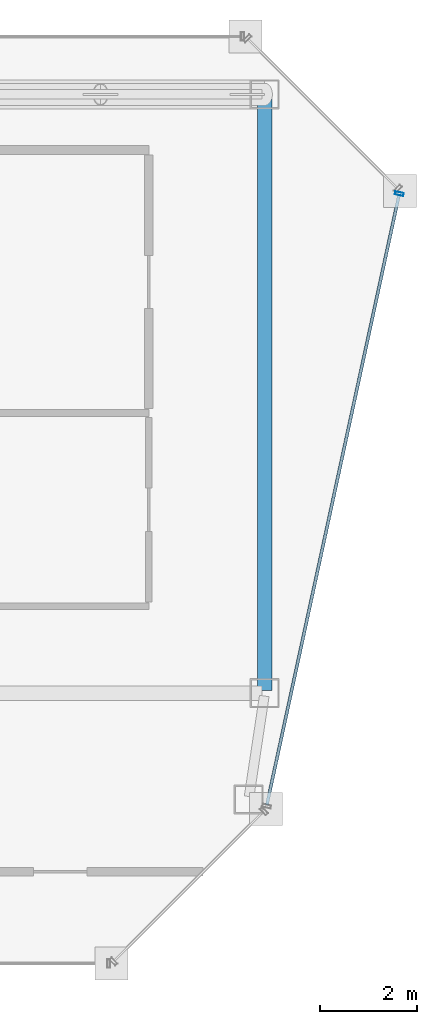
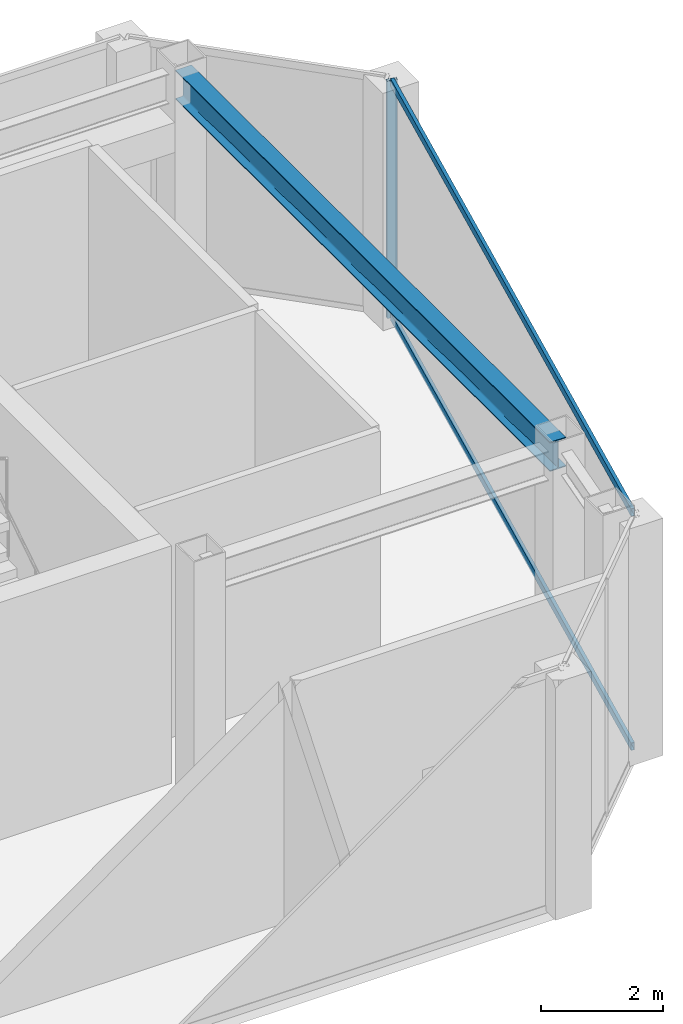
# One storey, part 12 of 20: 3 members, 1 beam, 1 element without a shape of its own.
"""IFC4 building model written with IfcOpenShell, lengths in metres."""

from ifc_helpers import new_model, si_unit, direction, frame, origin, origin_2d, place, context, subcontext, project, spatial, hollow_rectangle, i_section, extrude, material, material_profile, profile_set, type_object, element, aggregate, save


model = new_model("IFC4")

# Units and contexts
model_context = context("Model", 3, precision=1e-05, world=origin(), true_north=direction((0.0, 1.0)))
body_context = subcontext(model_context, "Body", "Model", "MODEL_VIEW")
ifc_project = project(units=[si_unit("LENGTHUNIT", "METRE"), si_unit("AREAUNIT", "SQUARE_METRE"), si_unit("VOLUMEUNIT", "CUBIC_METRE"), si_unit("PLANEANGLEUNIT", "RADIAN"), si_unit("MASSUNIT", "GRAM", prefix="KILO")], contexts=[model_context])

# Site, building, storey
site_placement = place(None, origin())
site = spatial("IfcSite", under=ifc_project, at=site_placement, CompositionType="ELEMENT")
building_placement = place(site_placement, origin())
building = spatial("IfcBuilding", under=site, at=building_placement, Name="Saevonmaru Cultural Tower", CompositionType="ELEMENT")
storey_placement = place(building_placement, frame((0.0, 0.0, 314.199951171875)))
storey = spatial("IfcBuildingStorey", under=building, at=storey_placement, Name="L75", CompositionType="ELEMENT", Elevation=314.199951171875)

# Beam
ifc_material_1 = material(Name="Steel SM355", Category="steel")
ifc_material_profile_1 = material_profile(ifc_material_1, i_section(OverallWidth=0.300048828125, OverallDepth=0.587890625, WebThickness=0.011962890625, FlangeThickness=0.02001953125, FilletRadius=0.02392578125, at=origin_2d()), Name="H-588x300x12x20")
ifc_profile_set_1 = profile_set([ifc_material_profile_1], Name="Steel SM355")
beam_type = type_object("IfcBeamType", Name="BM-G-H588", PredefinedType="BEAM", material=ifc_profile_set_1)
beam_placement = place(storey_placement, frame((53.199951171875, 54.739990234375, 4.4560546875), z_axis=(0.0, -1.0, 0.0), x_axis=(1.0, 0.0, 0.0)))
element("IfcBeam", 1, at=beam_placement, inside=storey, type_object=beam_type, Name="L75 Spine Transverse Girder E", PredefinedType="BEAM", context=body_context, shape_type="SweptSolid", body=[
    extrude(i_section(OverallWidth=0.300048828125, OverallDepth=0.587890625, WebThickness=0.011962890625, FlangeThickness=0.02001953125, FilletRadius=0.02392578125, at=origin_2d()), origin(), (0.0, 0.0, 1.0), 12.280029296875),
])

# Curtain wall, members
ifc_material_2 = material(Name="Satin Bronze Anodised Aluminium", Category="aluminium")
curtain_wall_type = type_object("IfcCurtainWallType", Name="CW-TYP-B", PredefinedType="NOTDEFINED", material=ifc_material_2)
curtain_wall_placement = place(storey_placement, origin())
curtain_wall = element("IfcCurtainWall", 2, at=curtain_wall_placement, inside=storey, type_object=curtain_wall_type, Name="L75 Wind-Floor Acoustic Louvre Screen E8", PredefinedType="NOTDEFINED")
ifc_material_profile_2 = material_profile(ifc_material_2, hollow_rectangle(XDim=0.06494140625, YDim=0.179931640625, WallThickness=0.00390625, at=origin_2d()), Name="ALU-MULL-180x65x4")
ifc_profile_set_2 = profile_set([ifc_material_profile_2], Name="Satin Bronze Anodised Aluminium")
member_type_1 = type_object("IfcMemberType", Name="ML-CW-180x65", PredefinedType="MULLION", material=ifc_profile_set_2)
member_1_placement = place(storey_placement, frame((55.9873046875, 52.741455078125, 0.0), z_axis=(0.0, 0.0, 1.0), x_axis=(0.211750401587, 0.977323778196, 0.0)))
member_1 = element("IfcMember", 3, at=member_1_placement, type_object=member_type_1, Name="CW-TW-L75-E8 mullion 2", PredefinedType="MULLION", context=body_context, shape_type="SweptSolid", body=[
    extrude(hollow_rectangle(XDim=0.06494140625, YDim=0.179931640625, WallThickness=0.00390625, at=origin_2d()), origin(), (0.0, 0.0, 1.0), 4.75),
])
ifc_material_profile_3 = material_profile(ifc_material_2, hollow_rectangle(XDim=0.06494140625, YDim=0.14990234375, WallThickness=0.00390625, at=origin_2d()), Name="ALU-TRAN-150x65x4")
ifc_profile_set_3 = profile_set([ifc_material_profile_3], Name="Satin Bronze Anodised Aluminium")
member_type_2 = type_object("IfcMemberType", Name="TR-CW-150x65", PredefinedType="USERDEFINED", material=ifc_profile_set_3)
member_2_placement = place(storey_placement, frame((53.246337890625, 40.09033203125, 0.032470703125), z_axis=(0.211748230013, 0.977324248695, 0.0), x_axis=(-0.977324248695, 0.211748230013, 0.0)))
member_2 = element("IfcMember", 4, at=member_2_placement, type_object=member_type_2, Name="CW-TW-L75-E8 transom 1.1", ObjectType="TRANSOM", PredefinedType="USERDEFINED", context=body_context, shape_type="SweptSolid", body=[
    extrude(hollow_rectangle(XDim=0.06494140625, YDim=0.14990234375, WallThickness=0.00390625, at=origin_2d()), origin(), (0.0, 0.0, 1.0), 12.912109375),
])
member_3_placement = place(storey_placement, frame((53.246337890625, 40.09033203125, 4.717529296875), z_axis=(0.211748230013, 0.977324248695, 0.0), x_axis=(-0.977324248695, 0.211748230013, 0.0)))
member_3 = element("IfcMember", 5, at=member_3_placement, type_object=member_type_2, Name="CW-TW-L75-E8 transom 1.2", ObjectType="TRANSOM", PredefinedType="USERDEFINED", context=body_context, shape_type="SweptSolid", body=[
    extrude(hollow_rectangle(XDim=0.06494140625, YDim=0.14990234375, WallThickness=0.00390625, at=origin_2d()), origin(), (0.0, 0.0, 1.0), 12.912109375),
])
aggregate(curtain_wall, [member_1, member_2, member_3])

save(model, "model.ifc")
